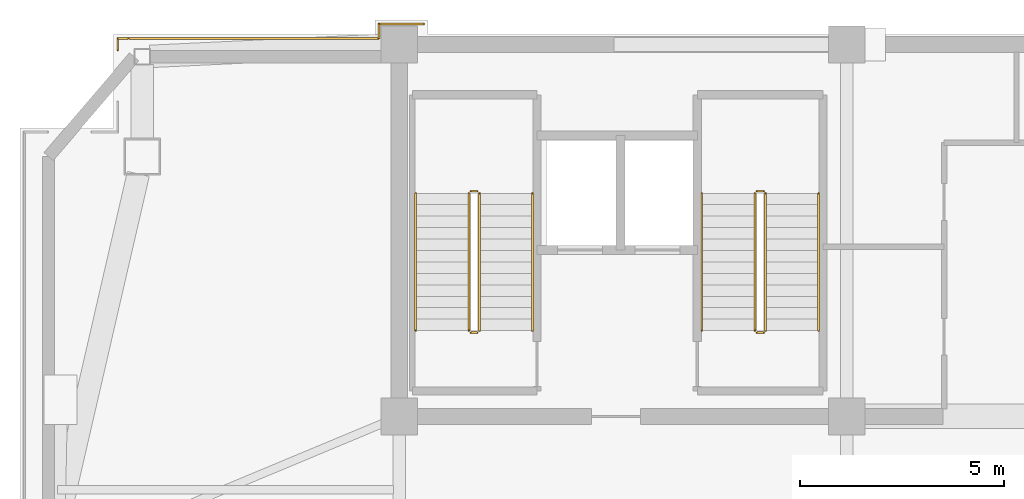
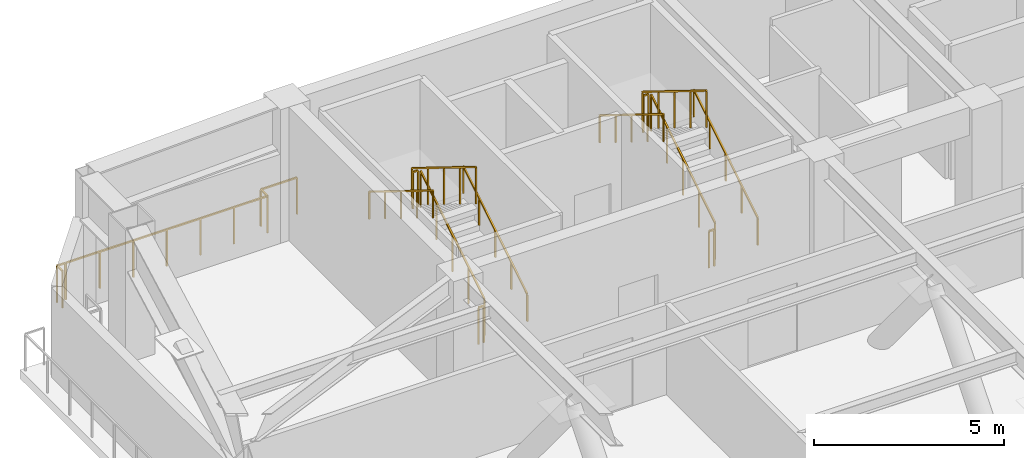
# One storey, part 6 of 7: 17 railings.
"""IFC4 building model written with IfcOpenShell, lengths in metres."""

from ifc_helpers import new_model, si_unit, direction, frame, origin, origin_2d, place, context, subcontext, project, spatial, rectangle, extrude, material, type_object, element, save


model = new_model("IFC4")

# Units and contexts
model_context = context("Model", 3, precision=1e-05, world=origin(), true_north=direction((0.0, 1.0)))
body_context = subcontext(model_context, "Body", "Model", "MODEL_VIEW")
ifc_project = project(units=[si_unit("LENGTHUNIT", "METRE"), si_unit("AREAUNIT", "SQUARE_METRE"), si_unit("VOLUMEUNIT", "CUBIC_METRE"), si_unit("PLANEANGLEUNIT", "RADIAN"), si_unit("MASSUNIT", "GRAM", prefix="KILO")], contexts=[model_context])

# Site, building, storey
site_placement = place(None, origin())
site = spatial("IfcSite", under=ifc_project, at=site_placement, CompositionType="ELEMENT")
building_placement = place(site_placement, origin())
building = spatial("IfcBuilding", under=site, at=building_placement, Name="Giltprow Tower", CompositionType="ELEMENT")
storey_placement = place(building_placement, frame((0.0, 0.0, 327.800048828125)))
storey = spatial("IfcBuildingStorey", under=building, at=storey_placement, Name="L85", CompositionType="ELEMENT", Elevation=327.800048828125)

# Railings
ifc_material = material(Name="Anodized bronze", Category="metal")
railing_type_1 = type_object("IfcRailingType", Name="RAIL-BALC-GUARD-1200", PredefinedType="BALUSTRADE", material=ifc_material)
railing_1_placement = place(storey_placement, frame((12.9619140625, 46.4130859375, 0.0)))
element("IfcRailing", 1, at=railing_1_placement, inside=storey, type_object=railing_type_1, Name="L85 Corner Apron Edge Balustrade 15", PredefinedType="BALUSTRADE", context=body_context, shape_type="SweptSolid", body=[
    extrude(rectangle(XDim=0.048095703125, YDim=0.048095703125, at=origin_2d()), frame((0.0, 0.0, 1.17578125), z_axis=(0.0, 1.0, 0.0), x_axis=(-1.0, 0.0, 0.0)), (0.0, 0.0, 1.0), 0.286865234375),
    extrude(rectangle(XDim=0.0419921875, YDim=0.0419921875, at=origin_2d()), origin(), (0.0, 0.0, 1.0), 1.15185546875),
    extrude(rectangle(XDim=0.0419921875, YDim=0.0419921875, at=origin_2d()), frame((0.0, 0.286865234375, 0.0)), (0.0, 0.0, 1.0), 1.15185546875),
])
railing_2_placement = place(storey_placement, frame((12.9619140625, 46.699951171875, 0.0)))
element("IfcRailing", 2, at=railing_2_placement, inside=storey, type_object=railing_type_1, Name="L85 Corner Apron Edge Balustrade 16", PredefinedType="BALUSTRADE", context=body_context, shape_type="SweptSolid", body=[
    extrude(rectangle(XDim=0.048095703125, YDim=0.048095703125, at=origin_2d()), frame((0.0, 0.0, 1.17578125), z_axis=(1.0, 0.0, 0.0), x_axis=(0.0, 1.0, 0.0)), (0.0, 0.0, 1.0), 0.24609375),
    extrude(rectangle(XDim=0.0419921875, YDim=0.0419921875, at=origin_2d()), origin(), (0.0, 0.0, 1.0), 1.15185546875),
    extrude(rectangle(XDim=0.0419921875, YDim=0.0419921875, at=origin_2d()), frame((0.24609375, 0.0, 0.0)), (0.0, 0.0, 1.0), 1.15185546875),
])
railing_3_placement = place(storey_placement, frame((13.236083984375, 46.699951171875, 0.0)))
element("IfcRailing", 3, at=railing_3_placement, inside=storey, type_object=railing_type_1, Name="L85 Corner Apron Edge Balustrade 17", PredefinedType="BALUSTRADE", context=body_context, shape_type="SweptSolid", body=[
    extrude(rectangle(XDim=0.048095703125, YDim=0.048095703125, at=origin_2d()), frame((0.0, 0.0, 1.17578125), z_axis=(1.0, 0.0, 0.0), x_axis=(0.0, 1.0, 0.0)), (0.0, 0.0, 1.0), 6.114013671875),
    extrude(rectangle(XDim=0.0419921875, YDim=0.0419921875, at=origin_2d()), origin(), (0.0, 0.0, 1.0), 1.15185546875),
    extrude(rectangle(XDim=0.0419921875, YDim=0.0419921875, at=origin_2d()), frame((1.01904296875, 0.0, 0.0)), (0.0, 0.0, 1.0), 1.15185546875),
    extrude(rectangle(XDim=0.0419921875, YDim=0.0419921875, at=origin_2d()), frame((2.0380859375, 0.0, 0.0)), (0.0, 0.0, 1.0), 1.15185546875),
    extrude(rectangle(XDim=0.0419921875, YDim=0.0419921875, at=origin_2d()), frame((3.05712890625, 0.0, 0.0)), (0.0, 0.0, 1.0), 1.15185546875),
    extrude(rectangle(XDim=0.0419921875, YDim=0.0419921875, at=origin_2d()), frame((4.075927734375, 0.0, 0.0)), (0.0, 0.0, 1.0), 1.15185546875),
    extrude(rectangle(XDim=0.0419921875, YDim=0.0419921875, at=origin_2d()), frame((5.094970703125, 0.0, 0.0)), (0.0, 0.0, 1.0), 1.15185546875),
    extrude(rectangle(XDim=0.0419921875, YDim=0.0419921875, at=origin_2d()), frame((6.114013671875, 0.0, 0.0)), (0.0, 0.0, 1.0), 1.15185546875),
])
railing_4_placement = place(storey_placement, frame((19.35009765625, 46.699951171875, 0.0)))
element("IfcRailing", 4, at=railing_4_placement, inside=storey, type_object=railing_type_1, Name="L85 Corner Apron Edge Balustrade 18", PredefinedType="BALUSTRADE", context=body_context, shape_type="SweptSolid", body=[
    extrude(rectangle(XDim=0.048095703125, YDim=0.048095703125, at=origin_2d()), frame((0.0, 0.0, 1.17578125), z_axis=(0.0, 1.0, 0.0), x_axis=(-1.0, 0.0, 0.0)), (0.0, 0.0, 1.0), 0.35009765625),
    extrude(rectangle(XDim=0.0419921875, YDim=0.0419921875, at=origin_2d()), origin(), (0.0, 0.0, 1.0), 1.15185546875),
    extrude(rectangle(XDim=0.0419921875, YDim=0.0419921875, at=origin_2d()), frame((0.0, 0.35009765625, 0.0)), (0.0, 0.0, 1.0), 1.15185546875),
])
railing_5_placement = place(storey_placement, frame((19.35009765625, 47.050048828125, 0.0)))
element("IfcRailing", 5, at=railing_5_placement, inside=storey, type_object=railing_type_1, Name="L85 Corner Apron Edge Balustrade 19", PredefinedType="BALUSTRADE", context=body_context, shape_type="SweptSolid", body=[
    extrude(rectangle(XDim=0.048095703125, YDim=0.048095703125, at=origin_2d()), frame((0.0, 0.0, 1.17578125), z_axis=(1.0, 0.0, 0.0), x_axis=(0.0, 1.0, 0.0)), (0.0, 0.0, 1.0), 1.099853515625),
    extrude(rectangle(XDim=0.0419921875, YDim=0.0419921875, at=origin_2d()), origin(), (0.0, 0.0, 1.0), 1.15185546875),
    extrude(rectangle(XDim=0.0419921875, YDim=0.0419921875, at=origin_2d()), frame((1.099853515625, 0.0, 0.0)), (0.0, 0.0, 1.0), 1.15185546875),
])
railing_type_2 = type_object("IfcRailingType", Name="RAIL-STAIR-GUARD-1200", PredefinedType="GUARDRAIL", material=ifc_material)
railing_6_placement = place(storey_placement, frame((21.81005859375, 39.550048828125, 0.173095703125)))
element("IfcRailing", 6, at=railing_6_placement, inside=storey, type_object=railing_type_2, Name="L85 ST-1 stair guard 1", PredefinedType="GUARDRAIL", context=body_context, shape_type="SweptSolid", body=[
    extrude(rectangle(XDim=0.048095703125, YDim=0.048095703125, at=origin_2d()), frame((0.0, 0.0, 1.17578125), z_axis=(0.0, 0.850606129759, 0.525803396734), x_axis=(-1.0, 0.0, 0.0)), (0.0, 0.0, 1.0), 3.949951171875),
    extrude(rectangle(XDim=0.0419921875, YDim=0.0419921875, at=origin_2d()), origin(), (0.0, 0.0, 1.0), 1.15185546875),
    extrude(rectangle(XDim=0.0419921875, YDim=0.0419921875, at=origin_2d()), frame((0.0, 0.83984375, 0.519287109375)), (0.0, 0.0, 1.0), 1.15185546875),
    extrude(rectangle(XDim=0.0419921875, YDim=0.0419921875, at=origin_2d()), frame((0.0, 1.679931640625, 1.03857421875)), (0.0, 0.0, 1.0), 1.15185546875),
    extrude(rectangle(XDim=0.0419921875, YDim=0.0419921875, at=origin_2d()), frame((0.0, 2.52001953125, 1.5576171875)), (0.0, 0.0, 1.0), 1.15185546875),
    extrude(rectangle(XDim=0.0419921875, YDim=0.0419921875, at=origin_2d()), frame((0.0, 3.35986328125, 2.076904296875)), (0.0, 0.0, 1.0), 1.15185546875),
])
railing_7_placement = place(storey_placement, frame((21.760009765625, 42.9599609375, 2.25)))
element("IfcRailing", 7, at=railing_7_placement, inside=storey, type_object=railing_type_2, Name="L85 ST-1 stair guard 2", PredefinedType="GUARDRAIL", context=body_context, shape_type="SweptSolid", body=[
    extrude(rectangle(XDim=0.048095703125, YDim=0.048095703125, at=origin_2d()), frame((0.0, 0.0, 1.17578125), z_axis=(-1.0, 0.0, 0.0), x_axis=(0.0, -1.0, 0.0)), (0.0, 0.0, 1.0), 0.159912109375),
    extrude(rectangle(XDim=0.0419921875, YDim=0.0419921875, at=origin_2d()), origin(), (0.0, 0.0, 1.0), 1.15185546875),
    extrude(rectangle(XDim=0.0419921875, YDim=0.0419921875, at=origin_2d()), frame((-0.159912109375, 0.0, 0.0)), (0.0, 0.0, 1.0), 1.15185546875),
])
railing_8_placement = place(storey_placement, frame((21.550048828125, 42.909912109375, 2.423095703125)))
element("IfcRailing", 8, at=railing_8_placement, inside=storey, type_object=railing_type_2, Name="L85 ST-1 stair guard 3", PredefinedType="GUARDRAIL", context=body_context, shape_type="SweptSolid", body=[
    extrude(rectangle(XDim=0.048095703125, YDim=0.048095703125, at=origin_2d()), frame((0.0, 0.0, 1.17578125), z_axis=(0.0, -0.850606129759, 0.525803396734), x_axis=(1.0, 0.0, 0.0)), (0.0, 0.0, 1.0), 3.949951171875),
    extrude(rectangle(XDim=0.0419921875, YDim=0.0419921875, at=origin_2d()), origin(), (0.0, 0.0, 1.0), 1.15185546875),
    extrude(rectangle(XDim=0.0419921875, YDim=0.0419921875, at=origin_2d()), frame((0.0, -0.83984375, 0.519287109375)), (0.0, 0.0, 1.0), 1.15185546875),
    extrude(rectangle(XDim=0.0419921875, YDim=0.0419921875, at=origin_2d()), frame((0.0, -1.679931640625, 1.03857421875)), (0.0, 0.0, 1.0), 1.15185546875),
    extrude(rectangle(XDim=0.0419921875, YDim=0.0419921875, at=origin_2d()), frame((0.0, -2.52001953125, 1.5576171875)), (0.0, 0.0, 1.0), 1.15185546875),
    extrude(rectangle(XDim=0.0419921875, YDim=0.0419921875, at=origin_2d()), frame((0.0, -3.35986328125, 2.076904296875)), (0.0, 0.0, 1.0), 1.15185546875),
])
railing_9_placement = place(storey_placement, frame((21.760009765625, 39.5, 0.0)))
element("IfcRailing", 9, at=railing_9_placement, inside=storey, type_object=railing_type_2, Name="L85 ST-1 stair guard 4", PredefinedType="GUARDRAIL", context=body_context, shape_type="SweptSolid", body=[
    extrude(rectangle(XDim=0.048095703125, YDim=0.048095703125, at=origin_2d()), frame((0.0, 0.0, 1.17578125), z_axis=(-1.0, 0.0, 0.0), x_axis=(0.0, -1.0, 0.0)), (0.0, 0.0, 1.0), 0.159912109375),
    extrude(rectangle(XDim=0.0419921875, YDim=0.0419921875, at=origin_2d()), origin(), (0.0, 0.0, 1.0), 1.15185546875),
    extrude(rectangle(XDim=0.0419921875, YDim=0.0419921875, at=origin_2d()), frame((-0.159912109375, 0.0, 0.0)), (0.0, 0.0, 1.0), 1.15185546875),
])
railing_10_placement = place(storey_placement, frame((28.81005859375, 39.550048828125, 0.173095703125)))
element("IfcRailing", 10, at=railing_10_placement, inside=storey, type_object=railing_type_2, Name="L85 ST-2 stair guard 1", PredefinedType="GUARDRAIL", context=body_context, shape_type="SweptSolid", body=[
    extrude(rectangle(XDim=0.048095703125, YDim=0.048095703125, at=origin_2d()), frame((0.0, 0.0, 1.17578125), z_axis=(0.0, 0.850606129759, 0.525803396734), x_axis=(-1.0, 0.0, 0.0)), (0.0, 0.0, 1.0), 3.949951171875),
    extrude(rectangle(XDim=0.0419921875, YDim=0.0419921875, at=origin_2d()), origin(), (0.0, 0.0, 1.0), 1.15185546875),
    extrude(rectangle(XDim=0.0419921875, YDim=0.0419921875, at=origin_2d()), frame((0.0, 0.83984375, 0.519287109375)), (0.0, 0.0, 1.0), 1.15185546875),
    extrude(rectangle(XDim=0.0419921875, YDim=0.0419921875, at=origin_2d()), frame((0.0, 1.679931640625, 1.03857421875)), (0.0, 0.0, 1.0), 1.15185546875),
    extrude(rectangle(XDim=0.0419921875, YDim=0.0419921875, at=origin_2d()), frame((0.0, 2.52001953125, 1.5576171875)), (0.0, 0.0, 1.0), 1.15185546875),
    extrude(rectangle(XDim=0.0419921875, YDim=0.0419921875, at=origin_2d()), frame((0.0, 3.35986328125, 2.076904296875)), (0.0, 0.0, 1.0), 1.15185546875),
])
railing_11_placement = place(storey_placement, frame((28.760009765625, 42.9599609375, 2.25)))
element("IfcRailing", 11, at=railing_11_placement, inside=storey, type_object=railing_type_2, Name="L85 ST-2 stair guard 2", PredefinedType="GUARDRAIL", context=body_context, shape_type="SweptSolid", body=[
    extrude(rectangle(XDim=0.048095703125, YDim=0.048095703125, at=origin_2d()), frame((0.0, 0.0, 1.17578125), z_axis=(-1.0, 0.0, 0.0), x_axis=(0.0, -1.0, 0.0)), (0.0, 0.0, 1.0), 0.159912109375),
    extrude(rectangle(XDim=0.0419921875, YDim=0.0419921875, at=origin_2d()), origin(), (0.0, 0.0, 1.0), 1.15185546875),
    extrude(rectangle(XDim=0.0419921875, YDim=0.0419921875, at=origin_2d()), frame((-0.159912109375, 0.0, 0.0)), (0.0, 0.0, 1.0), 1.15185546875),
])
railing_12_placement = place(storey_placement, frame((28.550048828125, 42.909912109375, 2.423095703125)))
element("IfcRailing", 12, at=railing_12_placement, inside=storey, type_object=railing_type_2, Name="L85 ST-2 stair guard 3", PredefinedType="GUARDRAIL", context=body_context, shape_type="SweptSolid", body=[
    extrude(rectangle(XDim=0.048095703125, YDim=0.048095703125, at=origin_2d()), frame((0.0, 0.0, 1.17578125), z_axis=(0.0, -0.850606129759, 0.525803396734), x_axis=(1.0, 0.0, 0.0)), (0.0, 0.0, 1.0), 3.949951171875),
    extrude(rectangle(XDim=0.0419921875, YDim=0.0419921875, at=origin_2d()), origin(), (0.0, 0.0, 1.0), 1.15185546875),
    extrude(rectangle(XDim=0.0419921875, YDim=0.0419921875, at=origin_2d()), frame((0.0, -0.83984375, 0.519287109375)), (0.0, 0.0, 1.0), 1.15185546875),
    extrude(rectangle(XDim=0.0419921875, YDim=0.0419921875, at=origin_2d()), frame((0.0, -1.679931640625, 1.03857421875)), (0.0, 0.0, 1.0), 1.15185546875),
    extrude(rectangle(XDim=0.0419921875, YDim=0.0419921875, at=origin_2d()), frame((0.0, -2.52001953125, 1.5576171875)), (0.0, 0.0, 1.0), 1.15185546875),
    extrude(rectangle(XDim=0.0419921875, YDim=0.0419921875, at=origin_2d()), frame((0.0, -3.35986328125, 2.076904296875)), (0.0, 0.0, 1.0), 1.15185546875),
])
railing_13_placement = place(storey_placement, frame((28.760009765625, 39.5, 0.0)))
element("IfcRailing", 13, at=railing_13_placement, inside=storey, type_object=railing_type_2, Name="L85 ST-2 stair guard 4", PredefinedType="GUARDRAIL", context=body_context, shape_type="SweptSolid", body=[
    extrude(rectangle(XDim=0.048095703125, YDim=0.048095703125, at=origin_2d()), frame((0.0, 0.0, 1.17578125), z_axis=(-1.0, 0.0, 0.0), x_axis=(0.0, -1.0, 0.0)), (0.0, 0.0, 1.0), 0.159912109375),
    extrude(rectangle(XDim=0.0419921875, YDim=0.0419921875, at=origin_2d()), origin(), (0.0, 0.0, 1.0), 1.15185546875),
    extrude(rectangle(XDim=0.0419921875, YDim=0.0419921875, at=origin_2d()), frame((-0.159912109375, 0.0, 0.0)), (0.0, 0.0, 1.0), 1.15185546875),
])
railing_type_3 = type_object("IfcRailingType", Name="RAIL-STAIR-HAND-900", PredefinedType="HANDRAIL", material=ifc_material)
railing_14_placement = place(storey_placement, frame((23.110107421875, 39.550048828125, 0.173095703125)))
element("IfcRailing", 14, at=railing_14_placement, inside=storey, type_object=railing_type_3, Name="L85 ST-1 stair handrail 1", PredefinedType="HANDRAIL", context=body_context, shape_type="SweptSolid", body=[
    extrude(rectangle(XDim=0.048095703125, YDim=0.048095703125, at=origin_2d()), frame((0.0, 0.0, 0.8759765625), z_axis=(0.0, 0.850606129759, 0.525803396734), x_axis=(-1.0, 0.0, 0.0)), (0.0, 0.0, 1.0), 3.949951171875),
    extrude(rectangle(XDim=0.0419921875, YDim=0.0419921875, at=origin_2d()), origin(), (0.0, 0.0, 1.0), 0.851806640625),
    extrude(rectangle(XDim=0.0419921875, YDim=0.0419921875, at=origin_2d()), frame((0.0, 0.83984375, 0.519287109375)), (0.0, 0.0, 1.0), 0.851806640625),
    extrude(rectangle(XDim=0.0419921875, YDim=0.0419921875, at=origin_2d()), frame((0.0, 1.679931640625, 1.03857421875)), (0.0, 0.0, 1.0), 0.851806640625),
    extrude(rectangle(XDim=0.0419921875, YDim=0.0419921875, at=origin_2d()), frame((0.0, 2.52001953125, 1.5576171875)), (0.0, 0.0, 1.0), 0.851806640625),
    extrude(rectangle(XDim=0.0419921875, YDim=0.0419921875, at=origin_2d()), frame((0.0, 3.35986328125, 2.076904296875)), (0.0, 0.0, 1.0), 0.851806640625),
])
railing_15_placement = place(storey_placement, frame((20.25, 42.909912109375, 2.423095703125)))
element("IfcRailing", 15, at=railing_15_placement, inside=storey, type_object=railing_type_3, Name="L85 ST-1 stair handrail 2", PredefinedType="HANDRAIL", context=body_context, shape_type="SweptSolid", body=[
    extrude(rectangle(XDim=0.048095703125, YDim=0.048095703125, at=origin_2d()), frame((0.0, 0.0, 0.8759765625), z_axis=(0.0, -0.850606129759, 0.525803396734), x_axis=(1.0, 0.0, 0.0)), (0.0, 0.0, 1.0), 3.949951171875),
    extrude(rectangle(XDim=0.0419921875, YDim=0.0419921875, at=origin_2d()), origin(), (0.0, 0.0, 1.0), 0.851806640625),
    extrude(rectangle(XDim=0.0419921875, YDim=0.0419921875, at=origin_2d()), frame((0.0, -0.83984375, 0.519287109375)), (0.0, 0.0, 1.0), 0.851806640625),
    extrude(rectangle(XDim=0.0419921875, YDim=0.0419921875, at=origin_2d()), frame((0.0, -1.679931640625, 1.03857421875)), (0.0, 0.0, 1.0), 0.851806640625),
    extrude(rectangle(XDim=0.0419921875, YDim=0.0419921875, at=origin_2d()), frame((0.0, -2.52001953125, 1.5576171875)), (0.0, 0.0, 1.0), 0.851806640625),
    extrude(rectangle(XDim=0.0419921875, YDim=0.0419921875, at=origin_2d()), frame((0.0, -3.35986328125, 2.076904296875)), (0.0, 0.0, 1.0), 0.851806640625),
])
railing_16_placement = place(storey_placement, frame((30.110107421875, 39.550048828125, 0.173095703125)))
element("IfcRailing", 16, at=railing_16_placement, inside=storey, type_object=railing_type_3, Name="L85 ST-2 stair handrail 1", PredefinedType="HANDRAIL", context=body_context, shape_type="SweptSolid", body=[
    extrude(rectangle(XDim=0.048095703125, YDim=0.048095703125, at=origin_2d()), frame((0.0, 0.0, 0.8759765625), z_axis=(0.0, 0.850606129759, 0.525803396734), x_axis=(-1.0, 0.0, 0.0)), (0.0, 0.0, 1.0), 3.949951171875),
    extrude(rectangle(XDim=0.0419921875, YDim=0.0419921875, at=origin_2d()), origin(), (0.0, 0.0, 1.0), 0.851806640625),
    extrude(rectangle(XDim=0.0419921875, YDim=0.0419921875, at=origin_2d()), frame((0.0, 0.83984375, 0.519287109375)), (0.0, 0.0, 1.0), 0.851806640625),
    extrude(rectangle(XDim=0.0419921875, YDim=0.0419921875, at=origin_2d()), frame((0.0, 1.679931640625, 1.03857421875)), (0.0, 0.0, 1.0), 0.851806640625),
    extrude(rectangle(XDim=0.0419921875, YDim=0.0419921875, at=origin_2d()), frame((0.0, 2.52001953125, 1.5576171875)), (0.0, 0.0, 1.0), 0.851806640625),
    extrude(rectangle(XDim=0.0419921875, YDim=0.0419921875, at=origin_2d()), frame((0.0, 3.35986328125, 2.076904296875)), (0.0, 0.0, 1.0), 0.851806640625),
])
railing_17_placement = place(storey_placement, frame((27.25, 42.909912109375, 2.423095703125)))
element("IfcRailing", 17, at=railing_17_placement, inside=storey, type_object=railing_type_3, Name="L85 ST-2 stair handrail 2", PredefinedType="HANDRAIL", context=body_context, shape_type="SweptSolid", body=[
    extrude(rectangle(XDim=0.048095703125, YDim=0.048095703125, at=origin_2d()), frame((0.0, 0.0, 0.8759765625), z_axis=(0.0, -0.850606129759, 0.525803396734), x_axis=(1.0, 0.0, 0.0)), (0.0, 0.0, 1.0), 3.949951171875),
    extrude(rectangle(XDim=0.0419921875, YDim=0.0419921875, at=origin_2d()), origin(), (0.0, 0.0, 1.0), 0.851806640625),
    extrude(rectangle(XDim=0.0419921875, YDim=0.0419921875, at=origin_2d()), frame((0.0, -0.83984375, 0.519287109375)), (0.0, 0.0, 1.0), 0.851806640625),
    extrude(rectangle(XDim=0.0419921875, YDim=0.0419921875, at=origin_2d()), frame((0.0, -1.679931640625, 1.03857421875)), (0.0, 0.0, 1.0), 0.851806640625),
    extrude(rectangle(XDim=0.0419921875, YDim=0.0419921875, at=origin_2d()), frame((0.0, -2.52001953125, 1.5576171875)), (0.0, 0.0, 1.0), 0.851806640625),
    extrude(rectangle(XDim=0.0419921875, YDim=0.0419921875, at=origin_2d()), frame((0.0, -3.35986328125, 2.076904296875)), (0.0, 0.0, 1.0), 0.851806640625),
])

save(model, "model.ifc")
